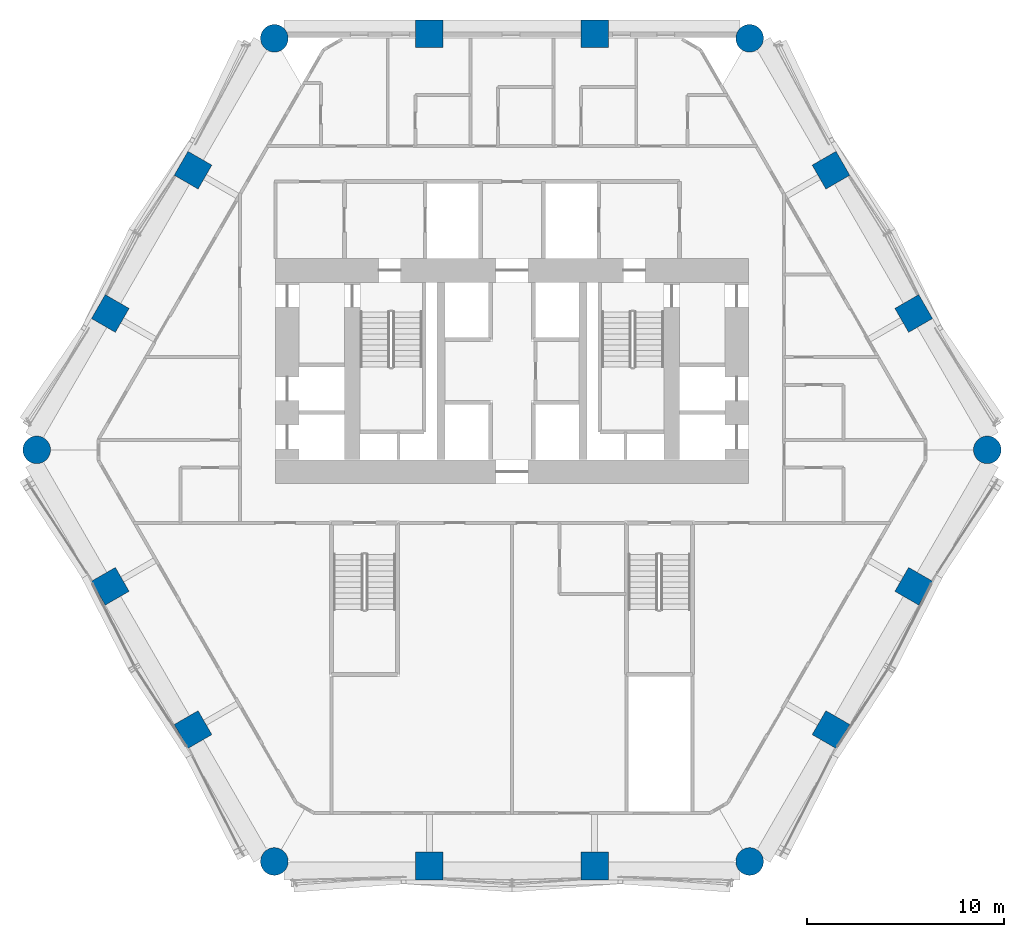
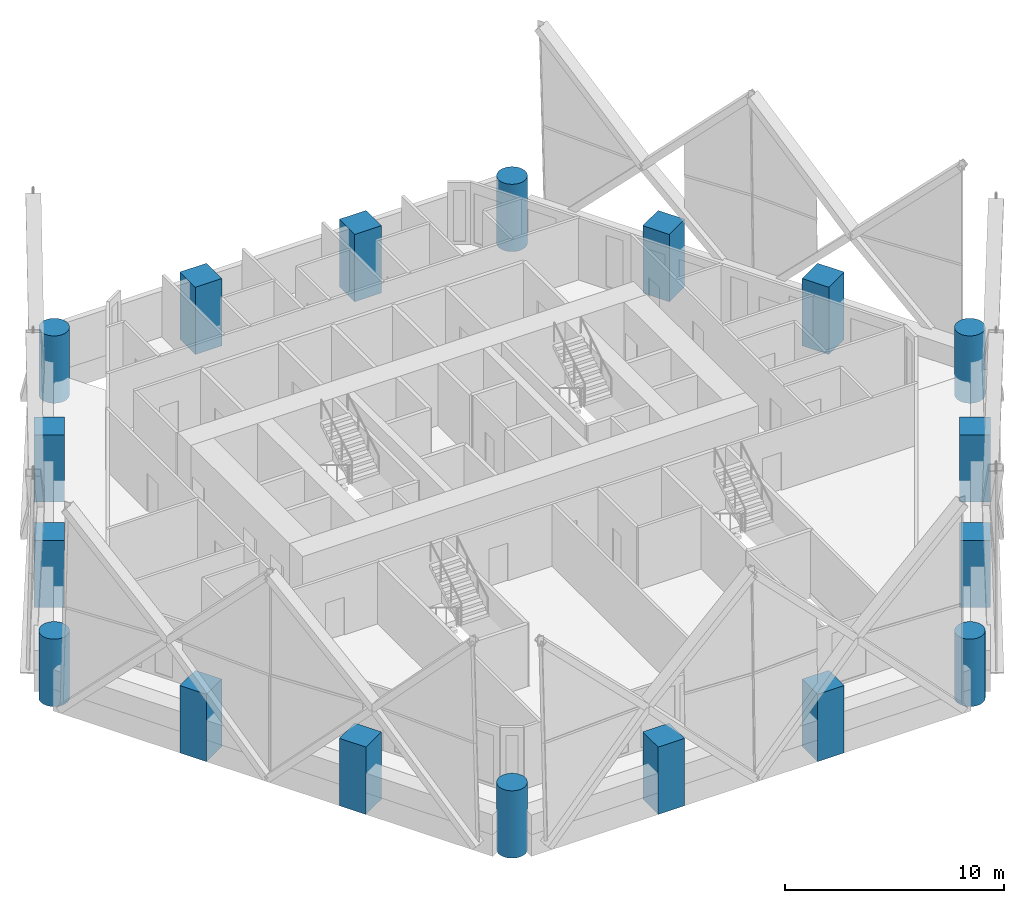
# One storey, part 1 of 22: 18 columns.
"""IFC4 building model written with IfcOpenShell, lengths in metres."""

from ifc_helpers import new_model, si_unit, direction, frame, origin, origin_2d, place, context, subcontext, project, spatial, rectangle, circle, extrude, material, material_profile, profile_set, type_object, element, save


model = new_model("IFC4")

# Units and contexts
model_context = context("Model", 3, precision=1e-05, world=origin(), true_north=direction((0.0, 1.0)))
body_context = subcontext(model_context, "Body", "Model", "MODEL_VIEW")
ifc_project = project(units=[si_unit("LENGTHUNIT", "METRE"), si_unit("AREAUNIT", "SQUARE_METRE"), si_unit("VOLUMEUNIT", "CUBIC_METRE"), si_unit("PLANEANGLEUNIT", "RADIAN"), si_unit("MASSUNIT", "GRAM", prefix="KILO")], contexts=[model_context])

# Site, building, storey
site_placement = place(None, origin())
site = spatial("IfcSite", under=ifc_project, at=site_placement, CompositionType="ELEMENT")
building_placement = place(site_placement, origin())
building = spatial("IfcBuilding", under=site, at=building_placement, Name="Ostrander Bayou Hotel Tower", CompositionType="ELEMENT")
storey_placement = place(building_placement, frame((0.0, 0.0, 35.5)))
storey = spatial("IfcBuildingStorey", under=building, at=storey_placement, Name="L08", CompositionType="ELEMENT", Elevation=35.5)

# Columns
ifc_material_1 = material(Name="Concrete f'c 70 MPa", Category="concrete")
ifc_material_profile_1 = material_profile(ifc_material_1, circle(Radius=0.699951171875, at=origin_2d()))
ifc_profile_set_1 = profile_set([ifc_material_profile_1], Name="Concrete f'c 70 MPa")
column_type_1 = type_object("IfcColumnType", Name="C1 round column 1400 mm f'c 70 MPa", PredefinedType="COLUMN", material=ifc_profile_set_1)
for number, where, z_axis, x_axis, name in (
    (1, (-12.050537109375, 20.872314453125, -1.199951171875), (0.0, 0.0, 1.0), (1.0, 0.0, 0.0), "C1 L08 K0"),
    (2, (-24.101318359375, 0.0, -1.199951171875), (0.0, 0.0, 1.0), (1.0, 0.0, 0.0), "C1 L08 K1"),
    (3, (-12.050537109375, -20.872314453125, -1.199951171875), (0.0, 0.0, 1.0), (1.0, 0.0, 0.0), "C1 L08 K2"),
    (4, (12.050537109375, -20.872314453125, -1.199951171875), (0.0, 0.0, 1.0), (1.0, 0.0, 0.0), "C1 L08 K3"),
    (5, (24.101318359375, 0.0, -1.199951171875), (0.0, 0.0, 1.0), (1.0, 0.0, 0.0), "C1 L08 K4"),
    (6, (12.050537109375, 20.872314453125, -1.199951171875), (0.0, 0.0, 1.0), (1.0, 0.0, 0.0), "C1 L08 K5"),
):
    element("IfcColumn", number, at=place(storey_placement, frame(where, z_axis=z_axis, x_axis=x_axis)), inside=storey, type_object=column_type_1, Name=name, PredefinedType="COLUMN", context=body_context, shape_type="SweptSolid", body=[
        extrude(circle(Radius=0.699951171875, at=origin_2d()), origin(), (0.0, 0.0, 1.0), 3.75),
    ])
ifc_material_2 = material(Name="Concrete f'c 70 MPa", Category="concrete")
ifc_material_profile_2 = material_profile(ifc_material_2, rectangle(XDim=1.39990234375, YDim=1.39990234375, at=origin_2d()))
ifc_profile_set_2 = profile_set([ifc_material_profile_2], Name="Concrete f'c 70 MPa")
column_type_2 = type_object("IfcColumnType", Name="C2 square column 1400 x 1400 mm f'c 70 MPa", PredefinedType="COLUMN", material=ifc_profile_set_2)
for number, where, z_axis, x_axis, name in (
    (7, (4.1953125, 21.10009765625, -1.199951171875), (0.0, 0.0, 1.0), (1.0, 0.0, 0.0), "C2 L08 N1"),
    (8, (-4.1953125, 21.10009765625, -1.199951171875), (0.0, 0.0, 1.0), (1.0, 0.0, 0.0), "C2 L08 N2"),
    (9, (-16.17529296875, 14.183349609375, -1.199951171875), (0.0, 0.0, 1.0), (0.5, 0.866025403784, 0.0), "C2 L08 NW1"),
    (10, (-20.370849609375, 6.916748046875, -1.199951171875), (0.0, 0.0, 1.0), (0.5, 0.866025403784, 0.0), "C2 L08 NW2"),
    (11, (-20.370849609375, -6.916748046875, -1.199951171875), (0.0, 0.0, 1.0), (-0.5, 0.866025403784, 0.0), "C2 L08 SW1"),
    (12, (-16.17529296875, -14.183349609375, -1.199951171875), (0.0, 0.0, 1.0), (-0.5, 0.866025403784, 0.0), "C2 L08 SW2"),
    (13, (-4.1953125, -21.10009765625, -1.199951171875), (0.0, 0.0, 1.0), (-1.0, 0.0, 0.0), "C2 L08 S1"),
    (14, (4.1953125, -21.10009765625, -1.199951171875), (0.0, 0.0, 1.0), (-1.0, 0.0, 0.0), "C2 L08 S2"),
    (15, (16.17529296875, -14.183349609375, -1.199951171875), (0.0, 0.0, 1.0), (-0.5, -0.866025403784, 0.0), "C2 L08 SE1"),
    (16, (20.370849609375, -6.916748046875, -1.199951171875), (0.0, 0.0, 1.0), (-0.5, -0.866025403784, 0.0), "C2 L08 SE2"),
    (17, (20.370849609375, 6.916748046875, -1.199951171875), (0.0, 0.0, 1.0), (0.5, -0.866025403784, 0.0), "C2 L08 NE1"),
    (18, (16.17529296875, 14.183349609375, -1.199951171875), (0.0, 0.0, 1.0), (0.5, -0.866025403784, 0.0), "C2 L08 NE2"),
):
    element("IfcColumn", number, at=place(storey_placement, frame(where, z_axis=z_axis, x_axis=x_axis)), inside=storey, type_object=column_type_2, Name=name, PredefinedType="COLUMN", context=body_context, shape_type="SweptSolid", body=[
        extrude(rectangle(XDim=1.39990234375, YDim=1.39990234375, at=origin_2d()), origin(), (0.0, 0.0, 1.0), 3.75),
    ])

save(model, "model.ifc")
